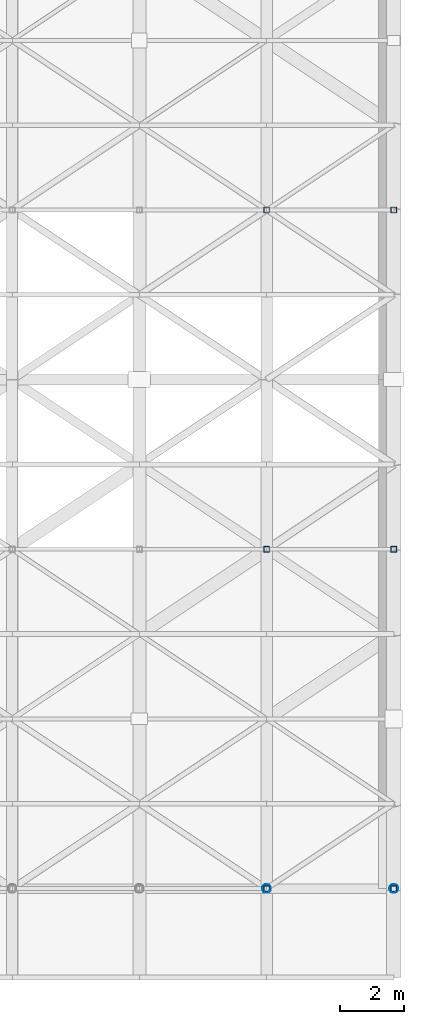
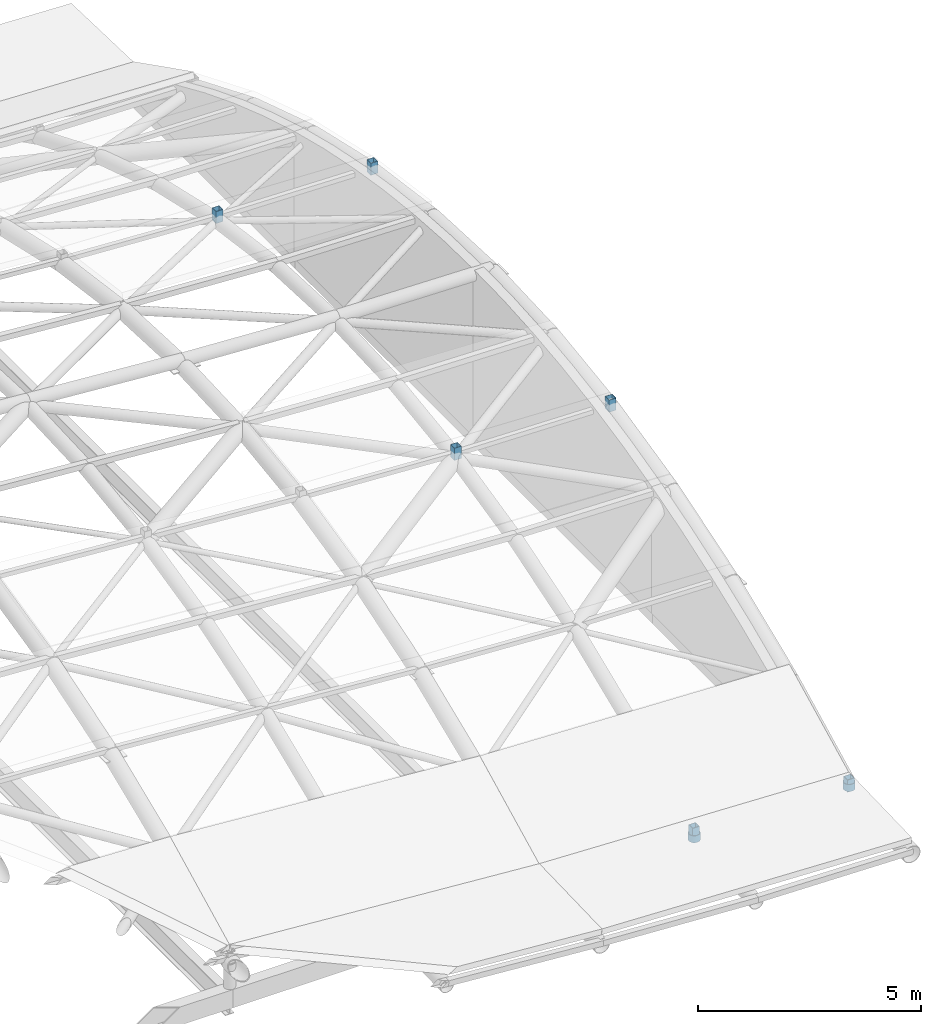
# One storey, part 44 of 72: 8 members.
"""IFC4 building model written with IfcOpenShell, lengths in metres."""

from ifc_helpers import new_model, si_unit, direction, frame, origin, origin_2d, place, context, subcontext, project, spatial, hollow_rectangle, hollow_circle, extrude, material, material_profile, profile_set, type_object, element, save


model = new_model("IFC4")

# Units and contexts
model_context = context("Model", 3, precision=1e-05, world=origin(), true_north=direction((0.0, 1.0)))
body_context = subcontext(model_context, "Body", "Model", "MODEL_VIEW")
ifc_project = project(units=[si_unit("LENGTHUNIT", "METRE"), si_unit("AREAUNIT", "SQUARE_METRE"), si_unit("VOLUMEUNIT", "CUBIC_METRE"), si_unit("PLANEANGLEUNIT", "RADIAN"), si_unit("MASSUNIT", "GRAM", prefix="KILO")], contexts=[model_context])

# Site, building, storey
site_placement = place(None, origin())
site = spatial("IfcSite", under=ifc_project, at=site_placement, CompositionType="ELEMENT")
building_placement = place(site_placement, origin())
building = spatial("IfcBuilding", under=site, at=building_placement, Name="Tenunan Teduh Sports Hall", CompositionType="ELEMENT")
storey_placement = place(building_placement, frame((0.0, 0.0, 15.0)))
storey = spatial("IfcBuildingStorey", under=building, at=storey_placement, Name="L03", CompositionType="ELEMENT", Elevation=15.0)

# Members
ifc_material_1 = material(Name="Steel S355", Category="steel")
ifc_material_profile_1 = material_profile(ifc_material_1, hollow_circle(Radius=0.136474609375, WallThickness=0.010009765625, at=origin_2d()), Name="CHS 273.0x10.0")
ifc_profile_set_1 = profile_set([ifc_material_profile_1], Name="Steel S355")
member_type_1 = type_object("IfcMemberType", Name="MEM-ST-CHS273", PredefinedType="STRUT", material=ifc_profile_set_1)
for number, where, z_axis, x_axis, name in (
    (1, (166.0, 14.0, -0.35009765625), (0.0, 0.0, 1.0), (1.0, 0.0, 0.0), "MEM-VS-04-L03-0080"),
    (2, (170.0, 14.0, -0.35009765625), (0.0, 0.0, 1.0), (1.0, 0.0, 0.0), "MEM-VS-04-L03-0088"),
):
    element("IfcMember", number, at=place(storey_placement, frame(where, z_axis=z_axis, x_axis=x_axis)), inside=storey, type_object=member_type_1, Name=name, PredefinedType="STRUT", context=body_context, shape_type="SweptSolid", body=[
        extrude(hollow_circle(Radius=0.136474609375, WallThickness=0.010009765625, at=origin_2d()), origin(), (0.0, 0.0, 1.0), 0.190185546875),
    ])
ifc_material_2 = material(Name="Steel S355", Category="steel")
ifc_material_profile_2 = material_profile(ifc_material_2, hollow_rectangle(XDim=0.179931640625, YDim=0.179931640625, WallThickness=0.010009765625, at=origin_2d()), Name="SHS 180x180x10.0")
ifc_profile_set_2 = profile_set([ifc_material_profile_2], Name="Steel S355")
member_type_2 = type_object("IfcMemberType", Name="MEM-ST-SHS180", PredefinedType="STRUT", material=ifc_profile_set_2)
for number, where, z_axis, x_axis, name in (
    (3, (166.0, 14.0, -0.2978515625), (0.0, 0.0, 1.0), (1.0, 0.0, 0.0), "MEM-VS-03-L03-0084"),
    (4, (166.0, 24.666748046875, 3.6123046875), (0.0, 0.0, 1.0), (1.0, 0.0, 0.0), "MEM-VS-03-L03-0085"),
    (5, (166.0, 35.333251953125, 3.6123046875), (0.0, 0.0, 1.0), (1.0, 0.0, 0.0), "MEM-VS-03-L03-0086"),
    (6, (170.0, 14.0, -0.3798828125), (0.0, 0.0, 1.0), (1.0, 0.0, 0.0), "MEM-VS-03-L03-0092"),
    (7, (170.0, 24.666748046875, 3.5302734375), (0.0, 0.0, 1.0), (1.0, 0.0, 0.0), "MEM-VS-03-L03-0093"),
    (8, (170.0, 35.333251953125, 3.5302734375), (0.0, 0.0, 1.0), (1.0, 0.0, 0.0), "MEM-VS-03-L03-0094"),
):
    element("IfcMember", number, at=place(storey_placement, frame(where, z_axis=z_axis, x_axis=x_axis)), inside=storey, type_object=member_type_2, Name=name, PredefinedType="STRUT", context=body_context, shape_type="SweptSolid", body=[
        extrude(hollow_rectangle(XDim=0.179931640625, YDim=0.179931640625, WallThickness=0.010009765625, at=origin_2d()), origin(), (0.0, 0.0, 1.0), 0.329833984375),
    ])

save(model, "model.ifc")
